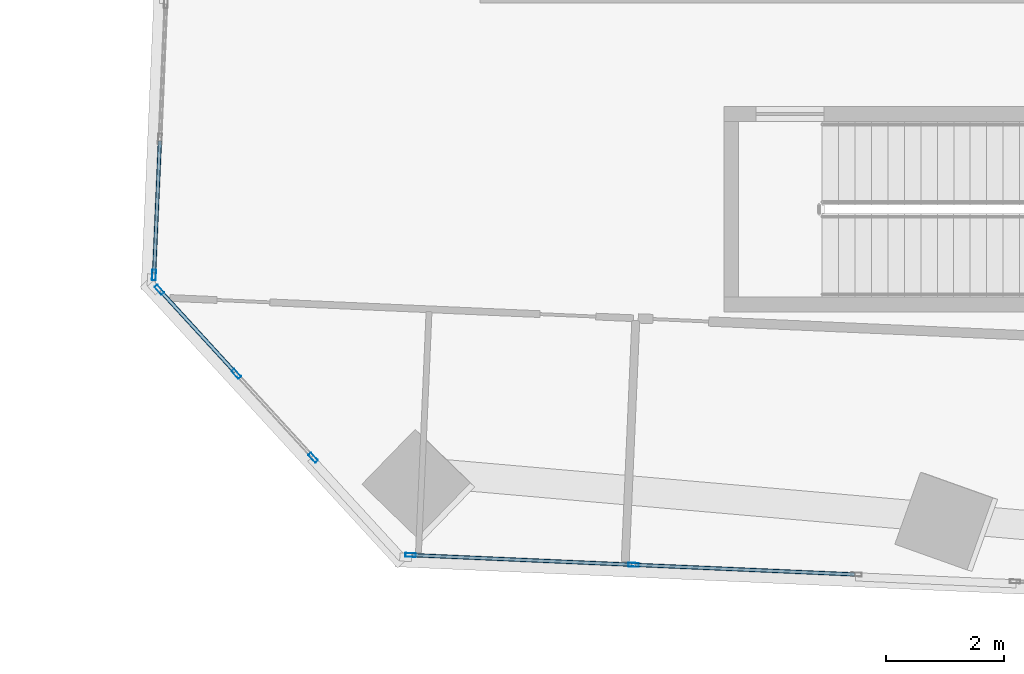
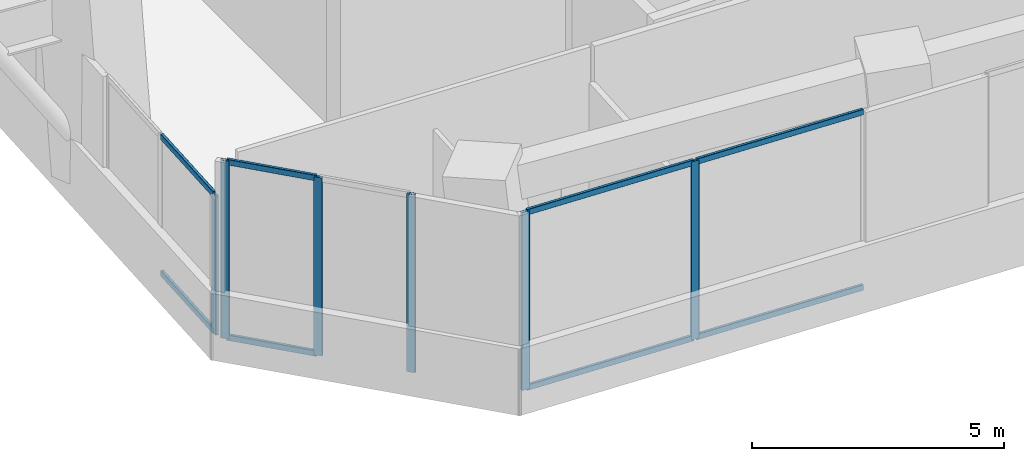
# One storey, part 2 of 26: 14 members, 3 elements without a shape of their own.
"""IFC4 building model written with IfcOpenShell, lengths in metres."""

from ifc_helpers import new_model, si_unit, direction, frame, origin, origin_2d, place, context, subcontext, project, spatial, hollow_rectangle, extrude, source, transform, mapped, material, material_profile, profile_set, type_object, element, aggregate, save


model = new_model("IFC4")

# Units and contexts
model_context = context("Model", 3, precision=1e-05, world=origin(), true_north=direction((0.0, 1.0)))
body_context = subcontext(model_context, "Body", "Model", "MODEL_VIEW")
ifc_project = project(units=[si_unit("LENGTHUNIT", "METRE"), si_unit("AREAUNIT", "SQUARE_METRE"), si_unit("VOLUMEUNIT", "CUBIC_METRE"), si_unit("PLANEANGLEUNIT", "RADIAN"), si_unit("MASSUNIT", "GRAM", prefix="KILO")], contexts=[model_context])

# Site, building, storey
site_placement = place(None, origin())
site = spatial("IfcSite", under=ifc_project, at=site_placement, CompositionType="ELEMENT")
building_placement = place(site_placement, origin())
building = spatial("IfcBuilding", under=site, at=building_placement, Name="Torre Montelarca", CompositionType="ELEMENT")
storey_placement = place(building_placement, frame((0.0, 0.0, 42.39990234375)))
storey = spatial("IfcBuildingStorey", under=building, at=storey_placement, Name="L09", CompositionType="ELEMENT", Elevation=42.39990234375)

# Curtain wall, members
ifc_material_1 = material(Name="Insulated low-E laminated glass", Category="glass")
curtain_wall_type = type_object("IfcCurtainWallType", Name="CW-SYS-Z1", PredefinedType="USERDEFINED", material=ifc_material_1)
curtain_wall_1_placement = place(storey_placement, origin())
curtain_wall_1 = element("IfcCurtainWall", 1, at=curtain_wall_1_placement, inside=storey, type_object=curtain_wall_type, Name="L09 Curtain Wall Run CW-T3-L09-E01-B1", ObjectType="UNITISED GLAZING", PredefinedType="USERDEFINED")
ifc_material_2 = material(Name="Anodised aluminium AA 6063-T6", Category="aluminium")
ifc_material_profile_1 = material_profile(ifc_material_2, hollow_rectangle(XDim=0.06494140625, YDim=0.179931640625, WallThickness=0.00390625, InnerFilletRadius=0.00390625, OuterFilletRadius=0.008056640625, at=origin_2d()), Name="ALU65X180X4", Category="aluminium")
ifc_profile_set_1 = profile_set([ifc_material_profile_1], Name="Anodised aluminium AA 6063-T6")
member_type_1 = type_object("IfcMemberType", Name="CWM-ALU180", PredefinedType="MULLION", material=ifc_profile_set_1)
shared_shape_1 = source(origin(), body_context, "Body", "SweptSolid", [
    extrude(hollow_rectangle(XDim=0.06494140625, YDim=0.179931640625, WallThickness=0.00390625, InnerFilletRadius=0.00390625, OuterFilletRadius=0.008056640625, at=origin_2d()), origin(), (0.0, 0.0, 1.0), 4.320068359375),
])
member_1_placement = place(storey_placement, frame((7.72265625, 14.514404296875, 0.0), z_axis=(0.0, 0.0, 1.0), x_axis=(0.0436191466, 0.999048232094, 0.0)))
member_1 = element("IfcMember", 2, at=member_1_placement, type_object=member_type_1, Name="CW mullion 1", PredefinedType="MULLION", context=body_context, shape_type="MappedRepresentation", body=[
    mapped(shared_shape_1, transform((0.0, 0.0, 0.0), scale=1.0)),
])
member_2_placement = place(storey_placement, frame((11.51513671875, 14.3486328125, 0.0), z_axis=(0.0, 0.0, 1.0), x_axis=(0.0436191466, 0.999048232094, 0.0)))
member_2 = element("IfcMember", 3, at=member_2_placement, type_object=member_type_1, Name="CW mullion 2", PredefinedType="MULLION", context=body_context, shape_type="MappedRepresentation", body=[
    mapped(shared_shape_1, transform((0.0, 0.0, 0.0), scale=1.0)),
])

curtain_wall_2_placement = place(storey_placement, origin())
curtain_wall_2 = element("IfcCurtainWall", 4, at=curtain_wall_2_placement, inside=storey, type_object=curtain_wall_type, Name="L09 Curtain Wall Run CW-T3-L09-E11-B1", ObjectType="UNITISED GLAZING", PredefinedType="USERDEFINED")
member_3_placement = place(storey_placement, frame((3.44921875, 19.02685546875, 0.0), z_axis=(0.0, 0.0, 1.0), x_axis=(0.737283818982, 0.675583133499, 0.0)))
member_3 = element("IfcMember", 5, at=member_3_placement, type_object=member_type_1, Name="CW mullion 1", PredefinedType="MULLION", context=body_context, shape_type="MappedRepresentation", body=[
    mapped(shared_shape_1, transform((0.0, 0.0, 0.0), scale=1.0)),
])
member_4_placement = place(storey_placement, frame((4.757080078125, 17.599365234375, 0.0), z_axis=(0.0, 0.0, 1.0), x_axis=(0.737283818982, 0.675583133499, 0.0)))
member_4 = element("IfcMember", 6, at=member_4_placement, type_object=member_type_1, Name="CW mullion 2", PredefinedType="MULLION", context=body_context, shape_type="MappedRepresentation", body=[
    mapped(shared_shape_1, transform((0.0, 0.0, 0.0), scale=1.0)),
])
member_5_placement = place(storey_placement, frame((6.06494140625, 16.172119140625, 0.0), z_axis=(0.0, 0.0, 1.0), x_axis=(0.737283818982, 0.675583133499, 0.0)))
member_5 = element("IfcMember", 7, at=member_5_placement, type_object=member_type_1, Name="CW mullion 3", PredefinedType="MULLION", context=body_context, shape_type="MappedRepresentation", body=[
    mapped(shared_shape_1, transform((0.0, 0.0, 0.0), scale=1.0)),
])

# Curtain wall, member
curtain_wall_3_placement = place(storey_placement, origin())
curtain_wall_3 = element("IfcCurtainWall", 8, at=curtain_wall_3_placement, inside=storey, type_object=curtain_wall_type, Name="L09 Curtain Wall Run CW-T3-L09-E10-B3", ObjectType="UNITISED GLAZING", PredefinedType="USERDEFINED")
shared_shape_2 = source(origin(), body_context, "Body", "SweptSolid", [
    extrude(hollow_rectangle(XDim=0.06494140625, YDim=0.179931640625, WallThickness=0.00390625, InnerFilletRadius=0.00390625, OuterFilletRadius=0.008056640625, at=origin_2d()), origin(), (0.0, 0.0, 1.0), 3.375),
])
member_6_placement = place(storey_placement, frame((3.35791015625, 19.277587890625, 0.0), z_axis=(0.0, 0.0, 1.0), x_axis=(0.999048714906, -0.043608086929, 0.0)))
member_6 = element("IfcMember", 9, at=member_6_placement, type_object=member_type_1, Name="CW mullion 3", PredefinedType="MULLION", context=body_context, shape_type="MappedRepresentation", body=[
    mapped(shared_shape_2, transform((0.0, 0.0, 0.0), scale=1.0)),
])

# Member
ifc_material_profile_2 = material_profile(ifc_material_2, hollow_rectangle(XDim=0.06494140625, YDim=0.139892578125, WallThickness=0.00390625, InnerFilletRadius=0.00390625, OuterFilletRadius=0.008056640625, at=origin_2d()), Name="ALU65X140X4", Category="aluminium")
ifc_profile_set_2 = profile_set([ifc_material_profile_2], Name="Anodised aluminium AA 6063-T6")
member_type_2 = type_object("IfcMemberType", Name="CWT-ALU140", PredefinedType="USERDEFINED", material=ifc_profile_set_2)
shared_shape_3 = source(origin(), body_context, "Body", "SweptSolid", [
    extrude(hollow_rectangle(XDim=0.06494140625, YDim=0.139892578125, WallThickness=0.00390625, InnerFilletRadius=0.00390625, OuterFilletRadius=0.008056640625, at=origin_2d()), origin(), (0.0, 0.0, 1.0), 3.731201171875),
])
member_7_placement = place(storey_placement, frame((7.755126953125, 14.512939453125, 0.03271484375), z_axis=(0.999047124235, -0.043644513483, 0.0), x_axis=(0.043644513483, 0.999047124235, 0.0)))
member_7 = element("IfcMember", 10, at=member_7_placement, type_object=member_type_2, Name="CW transom 1.1", ObjectType="TRANSOM", PredefinedType="USERDEFINED", context=body_context, shape_type="MappedRepresentation", body=[
    mapped(shared_shape_3, transform((0.0, 0.0, 0.0), scale=1.0)),
])

member_8_placement = place(storey_placement, frame((7.755126953125, 14.512939453125, 4.28759765625), z_axis=(0.999047124235, -0.043644513483, 0.0), x_axis=(0.043644513483, 0.999047124235, 0.0)))
member_8 = element("IfcMember", 11, at=member_8_placement, type_object=member_type_2, Name="CW transom 1.2", ObjectType="TRANSOM", PredefinedType="USERDEFINED", context=body_context, shape_type="MappedRepresentation", body=[
    mapped(shared_shape_3, transform((0.0, 0.0, 0.0), scale=1.0)),
])

member_9_placement = place(storey_placement, frame((11.547607421875, 14.34716796875, 0.03271484375), z_axis=(0.999049975225, -0.043579203792, 0.0), x_axis=(0.043579203792, 0.999049975225, 0.0)))
member_9 = element("IfcMember", 12, at=member_9_placement, type_object=member_type_2, Name="CW transom 2.1", ObjectType="TRANSOM", PredefinedType="USERDEFINED", context=body_context, shape_type="MappedRepresentation", body=[
    mapped(shared_shape_3, transform((0.0, 0.0, 0.0), scale=1.0)),
])

member_10_placement = place(storey_placement, frame((11.547607421875, 14.34716796875, 4.28759765625), z_axis=(0.999049975225, -0.043579203792, 0.0), x_axis=(0.043579203792, 0.999049975225, 0.0)))
member_10 = element("IfcMember", 13, at=member_10_placement, type_object=member_type_2, Name="CW transom 2.2", ObjectType="TRANSOM", PredefinedType="USERDEFINED", context=body_context, shape_type="MappedRepresentation", body=[
    mapped(shared_shape_3, transform((0.0, 0.0, 0.0), scale=1.0)),
])

aggregate(curtain_wall_1, [member_1, member_2, member_7, member_8, member_9, member_10])

shared_shape_4 = source(origin(), body_context, "Body", "SweptSolid", [
    extrude(hollow_rectangle(XDim=0.06494140625, YDim=0.139892578125, WallThickness=0.00390625, InnerFilletRadius=0.00390625, OuterFilletRadius=0.008056640625, at=origin_2d()), origin(), (0.0, 0.0, 1.0), 2.251953125),
])
member_11_placement = place(storey_placement, frame((3.45751953125, 21.559814453125, 0.03271484375), z_axis=(-0.043691282391, -0.999045079985, 0.0), x_axis=(0.999045079985, -0.043691282391, 0.0)))
member_11 = element("IfcMember", 14, at=member_11_placement, type_object=member_type_2, Name="CW transom 2.1", ObjectType="TRANSOM", PredefinedType="USERDEFINED", context=body_context, shape_type="MappedRepresentation", body=[
    mapped(shared_shape_4, transform((0.0, 0.0, 0.0), scale=1.0)),
])

member_12_placement = place(storey_placement, frame((3.45751953125, 21.559814453125, 3.342529296875), z_axis=(-0.043691282391, -0.999045079985, 0.0), x_axis=(0.999045079985, -0.043691282391, 0.0)))
member_12 = element("IfcMember", 15, at=member_12_placement, type_object=member_type_2, Name="CW transom 2.2", ObjectType="TRANSOM", PredefinedType="USERDEFINED", context=body_context, shape_type="MappedRepresentation", body=[
    mapped(shared_shape_4, transform((0.0, 0.0, 0.0), scale=1.0)),
])

aggregate(curtain_wall_3, [member_6, member_11, member_12])

shared_shape_5 = source(origin(), body_context, "Body", "SweptSolid", [
    extrude(hollow_rectangle(XDim=0.06494140625, YDim=0.139892578125, WallThickness=0.00390625, InnerFilletRadius=0.00390625, OuterFilletRadius=0.008056640625, at=origin_2d()), origin(), (0.0, 0.0, 1.0), 1.870849609375),
])
member_13_placement = place(storey_placement, frame((3.47119140625, 19.002685546875, 0.03271484375), z_axis=(0.675570974818, -0.737294959961, 0.0), x_axis=(0.737294959961, 0.675570974818, 0.0)))
member_13 = element("IfcMember", 16, at=member_13_placement, type_object=member_type_2, Name="CW transom 1.1", ObjectType="TRANSOM", PredefinedType="USERDEFINED", context=body_context, shape_type="MappedRepresentation", body=[
    mapped(shared_shape_5, transform((0.0, 0.0, 0.0), scale=1.0)),
])

member_14_placement = place(storey_placement, frame((3.47119140625, 19.002685546875, 4.28759765625), z_axis=(0.675570974818, -0.737294959961, 0.0), x_axis=(0.737294959961, 0.675570974818, 0.0)))
member_14 = element("IfcMember", 17, at=member_14_placement, type_object=member_type_2, Name="CW transom 1.2", ObjectType="TRANSOM", PredefinedType="USERDEFINED", context=body_context, shape_type="MappedRepresentation", body=[
    mapped(shared_shape_5, transform((0.0, 0.0, 0.0), scale=1.0)),
])

aggregate(curtain_wall_2, [member_3, member_4, member_5, member_13, member_14])

save(model, "model.ifc")
